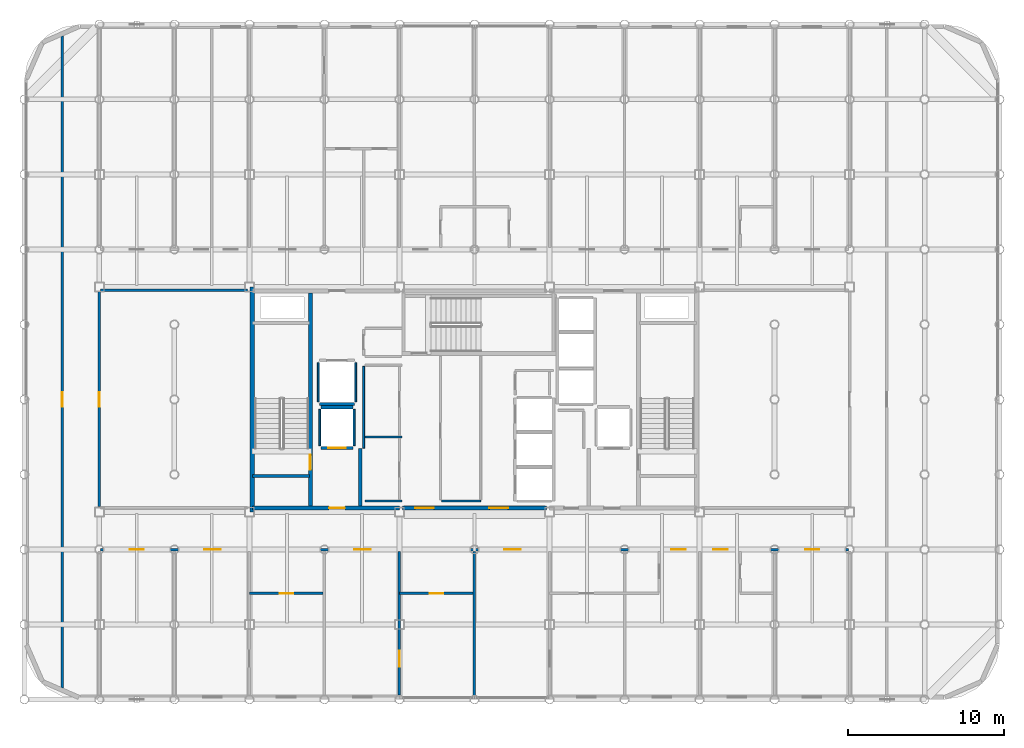
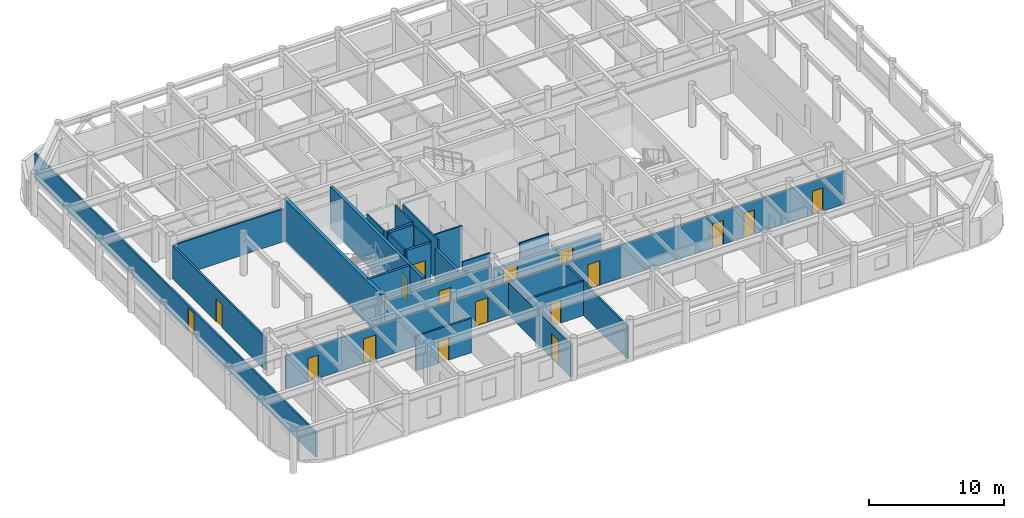
# One storey, part 18 of 23: 25 walls, 17 doors, 17 openings.
"""IFC4 building model written with IfcOpenShell, lengths in metres."""

from ifc_helpers import new_model, si_unit, direction, frame, frame_2d, origin, place, context, subcontext, project, spatial, rectangle, extrude, material, layer, layer_set, type_object, element, fill, save


model = new_model("IFC4")

# Units and contexts
model_context = context("Model", 3, precision=1e-05, world=origin(), true_north=direction((0.0, 1.0)))
body_context = subcontext(model_context, "Body", "Model", "MODEL_VIEW")
ifc_project = project(units=[si_unit("LENGTHUNIT", "METRE"), si_unit("AREAUNIT", "SQUARE_METRE"), si_unit("VOLUMEUNIT", "CUBIC_METRE"), si_unit("PLANEANGLEUNIT", "RADIAN"), si_unit("MASSUNIT", "GRAM", prefix="KILO")], contexts=[model_context])

# Site, building, storey
site_placement = place(None, origin())
site = spatial("IfcSite", under=ifc_project, at=site_placement, CompositionType="ELEMENT")
building_placement = place(site_placement, origin())
building = spatial("IfcBuilding", under=site, at=building_placement, Name="Kallvorn Hotel Tower", CompositionType="ELEMENT")
storey_placement = place(building_placement, frame((0.0, 0.0, 237.699951171875)))
storey = spatial("IfcBuildingStorey", under=building, at=storey_placement, Name="L59", CompositionType="ELEMENT", Elevation=237.699951171875)

# Wall
ifc_material_1 = material(Name="Concrete C50/60", Category="concrete")
ifc_layer_1 = layer(ifc_material_1, 0.300048828125)
ifc_layer_set_1 = layer_set([ifc_layer_1], Name="WL_CORE_300")
wall_type_1 = type_object("IfcWallType", Name="WL_CORE_300", PredefinedType="SHEAR", material=ifc_layer_set_1)
wall_1_placement = place(storey_placement, frame((-14.215087890625, -7.199951171875, -0.179931640625), z_axis=(0.0, 0.0, 1.0), x_axis=(0.0, 1.0, 0.0)))
element("IfcWall", 1, at=wall_1_placement, inside=storey, type_object=wall_type_1, Name="L59 Core West Shear Wall", PredefinedType="SHEAR", context=body_context, shape_type="SweptSolid", body=[
    extrude(rectangle(XDim=14.39990234375, YDim=0.300048828125, at=frame_2d((7.199951171875, 0.0))), origin(), (0.0, 0.0, 1.0), 3.85009765625),
])

# Wall, opening, door
ifc_material_2 = material(Name="Fire-rated double-layer acoustic gypsum drywall EI 60")
ifc_layer_2 = layer(ifc_material_2, 0.159912109375)
ifc_layer_set_2 = layer_set([ifc_layer_2], Name="WL_DEMISE_160")
wall_type_2 = type_object("IfcWallType", Name="WL_DEMISE_160", PredefinedType="PARTITIONING", material=ifc_layer_set_2)
wall_2_placement = place(storey_placement, frame((-14.39990234375, -12.409912109375, 0.0), z_axis=(0.0, 0.0, 1.0), x_axis=(1.0, 0.0, 0.0)))
wall_2 = element("IfcWall", 2, at=wall_2_placement, inside=storey, type_object=wall_type_2, Name="L59 Suite 5901 Executive Bedroom Partition", PredefinedType="PARTITIONING", context=body_context, shape_type="SweptSolid", body=[
    extrude(rectangle(XDim=4.719970703125, YDim=0.159912109375, at=frame_2d((2.35986328125, 0.0))), origin(), (0.0, 0.0, 1.0), 3.1201171875),
])
opening_1_placement = place(wall_2_placement, frame((1.929931640625, 0.0, 0.0)))
opening_1 = element("IfcOpeningElement", 3, at=opening_1_placement, cuts=wall_2, Name="Opening BD-I", PredefinedType="OPENING", context=body_context, shape_type="SweptSolid", body=[
    extrude(rectangle(XDim=0.860107421875, YDim=2.10009765625, at=frame_2d((0.43017578125, 1.050048828125))), frame((0.0, 0.094970703125, 0.0), z_axis=(0.0, -1.0, 0.0), x_axis=(1.0, 0.0, 0.0)), (0.0, 0.0, 1.0), 0.18994140625),
])
ifc_material_3 = material(Name="Solid-core walnut veneer fire-rated timber door leaf", Category="wood")
door_type_1 = type_object("IfcDoorType", Name="DR_BATH_860x2100", OperationType="NOTDEFINED", PredefinedType="DOOR", material=ifc_material_3)
door_1_placement = place(opening_1_placement, origin())
door_1 = element("IfcDoor", 4, at=door_1_placement, inside=storey, type_object=door_type_1, Name="L59 Suite 5901 En-Suite Bathroom Door", OperationType="SINGLE_SWING_RIGHT", OverallHeight=2.10009765625, OverallWidth=0.860107421875, PredefinedType="DOOR", context=body_context, shape_type="SweptSolid", body=[
    extrude(rectangle(XDim=0.860107421875, YDim=2.10009765625, at=frame_2d((0.43017578125, 1.050048828125))), frame((0.0, 0.02490234375, 0.0), z_axis=(0.0, -1.0, 0.0), x_axis=(1.0, 0.0, 0.0)), (0.0, 0.0, 1.0), 0.050048828125),
])
fill(opening_1, door_1)

wall_3_placement = place(storey_placement, frame((-4.800048828125, -12.409912109375, 0.0), z_axis=(0.0, 0.0, 1.0), x_axis=(1.0, 0.0, 0.0)))
wall_3 = element("IfcWall", 5, at=wall_3_placement, inside=storey, type_object=wall_type_2, Name="L59 Suite 5902 Executive Bedroom Partition", PredefinedType="PARTITIONING", context=body_context, shape_type="SweptSolid", body=[
    extrude(rectangle(XDim=4.719970703125, YDim=0.159912109375, at=frame_2d((2.35986328125, 0.0))), origin(), (0.0, 0.0, 1.0), 3.1201171875),
])
opening_2_placement = place(wall_3_placement, frame((1.929931640625, 0.0, 0.0)))
opening_2 = element("IfcOpeningElement", 6, at=opening_2_placement, cuts=wall_3, Name="Opening BD-I", PredefinedType="OPENING", context=body_context, shape_type="SweptSolid", body=[
    extrude(rectangle(XDim=0.860107421875, YDim=2.10009765625, at=frame_2d((0.43017578125, 1.050048828125))), frame((0.0, 0.094970703125, 0.0), z_axis=(0.0, -1.0, 0.0), x_axis=(1.0, 0.0, 0.0)), (0.0, 0.0, 1.0), 0.18994140625),
])
door_2_placement = place(opening_2_placement, origin())
door_2 = element("IfcDoor", 7, at=door_2_placement, inside=storey, type_object=door_type_1, Name="L59 Suite 5902 En-Suite Bathroom Door", OperationType="SINGLE_SWING_LEFT", OverallHeight=2.10009765625, OverallWidth=0.860107421875, PredefinedType="DOOR", context=body_context, shape_type="SweptSolid", body=[
    extrude(rectangle(XDim=0.860107421875, YDim=2.10009765625, at=frame_2d((0.43017578125, 1.050048828125))), frame((0.0, 0.02490234375, 0.0), z_axis=(0.0, -1.0, 0.0), x_axis=(1.0, 0.0, 0.0)), (0.0, 0.0, 1.0), 0.050048828125),
])
fill(opening_2, door_2)

# Wall, openings, doors
wall_4_placement = place(storey_placement, frame((-23.919921875, -9.60009765625, 0.0), z_axis=(0.0, 0.0, 1.0), x_axis=(1.0, 0.0, 0.0)))
wall_4 = element("IfcWall", 8, at=wall_4_placement, inside=storey, type_object=wall_type_2, Name="L59 Suite 5901 Executive Living Salon Partition", PredefinedType="PARTITIONING", context=body_context, shape_type="SweptSolid", body=[
    extrude(rectangle(XDim=47.83984375, YDim=0.159912109375, at=frame_2d((23.919921875, 0.0))), origin(), (0.0, 0.0, 1.0), 2.969970703125),
])
opening_3_placement = place(wall_4_placement, frame((1.8701171875, 0.0, 0.0)))
opening_3 = element("IfcOpeningElement", 9, at=opening_3_placement, cuts=wall_4, Name="Opening SVD1", PredefinedType="OPENING", context=body_context, shape_type="SweptSolid", body=[
    extrude(rectangle(XDim=0.89990234375, YDim=2.10009765625, at=frame_2d((0.449951171875, 1.050048828125))), frame((0.0, 0.094970703125, 0.0), z_axis=(0.0, -1.0, 0.0), x_axis=(1.0, 0.0, 0.0)), (0.0, 0.0, 1.0), 0.18994140625),
])
opening_4_placement = place(wall_4_placement, frame((45.070068359375, 0.0, 0.0)))
opening_4 = element("IfcOpeningElement", 10, at=opening_4_placement, cuts=wall_4, Name="Opening SVD1", PredefinedType="OPENING", context=body_context, shape_type="SweptSolid", body=[
    extrude(rectangle(XDim=0.89990234375, YDim=2.10009765625, at=frame_2d((0.449951171875, 1.050048828125))), frame((0.0, 0.094970703125, 0.0), z_axis=(0.0, -1.0, 0.0), x_axis=(1.0, 0.0, 0.0)), (0.0, 0.0, 1.0), 0.18994140625),
])
opening_5_placement = place(wall_4_placement, frame((6.635009765625, 0.0, 0.0)))
opening_5 = element("IfcOpeningElement", 11, at=opening_5_placement, cuts=wall_4, Name="Opening GD2", PredefinedType="OPENING", context=body_context, shape_type="SweptSolid", body=[
    extrude(rectangle(XDim=1.050048828125, YDim=2.199951171875, at=frame_2d((0.52490234375, 1.10009765625))), frame((0.0, 0.094970703125, 0.0), z_axis=(0.0, -1.0, 0.0), x_axis=(1.0, 0.0, 0.0)), (0.0, 0.0, 1.0), 0.18994140625),
])
opening_6_placement = place(wall_4_placement, frame((16.235107421875, 0.0, 0.0)))
opening_6 = element("IfcOpeningElement", 12, at=opening_6_placement, cuts=wall_4, Name="Opening GD2", PredefinedType="OPENING", context=body_context, shape_type="SweptSolid", body=[
    extrude(rectangle(XDim=1.050048828125, YDim=2.199951171875, at=frame_2d((0.52490234375, 1.10009765625))), frame((0.0, 0.094970703125, 0.0), z_axis=(0.0, -1.0, 0.0), x_axis=(1.0, 0.0, 0.0)), (0.0, 0.0, 1.0), 0.18994140625),
])
opening_7_placement = place(wall_4_placement, frame((25.8349609375, 0.0, 0.0)))
opening_7 = element("IfcOpeningElement", 13, at=opening_7_placement, cuts=wall_4, Name="Opening GD2", PredefinedType="OPENING", context=body_context, shape_type="SweptSolid", body=[
    extrude(rectangle(XDim=1.050048828125, YDim=2.199951171875, at=frame_2d((0.52490234375, 1.10009765625))), frame((0.0, 0.094970703125, 0.0), z_axis=(0.0, -1.0, 0.0), x_axis=(1.0, 0.0, 0.0)), (0.0, 0.0, 1.0), 0.18994140625),
])
opening_8_placement = place(wall_4_placement, frame((36.52490234375, 0.0, 0.0)))
opening_8 = element("IfcOpeningElement", 14, at=opening_8_placement, cuts=wall_4, Name="Opening GD1", PredefinedType="OPENING", context=body_context, shape_type="SweptSolid", body=[
    extrude(rectangle(XDim=0.919921875, YDim=2.14990234375, at=frame_2d((0.4599609375, 1.074951171875))), frame((0.0, 0.094970703125, 0.0), z_axis=(0.0, -1.0, 0.0), x_axis=(1.0, 0.0, 0.0)), (0.0, 0.0, 1.0), 0.18994140625),
])
opening_9_placement = place(wall_4_placement, frame((39.195068359375, 0.0, 0.0)))
opening_9 = element("IfcOpeningElement", 15, at=opening_9_placement, cuts=wall_4, Name="Opening GD1", PredefinedType="OPENING", context=body_context, shape_type="SweptSolid", body=[
    extrude(rectangle(XDim=0.919921875, YDim=2.14990234375, at=frame_2d((0.4599609375, 1.074951171875))), frame((0.0, 0.094970703125, 0.0), z_axis=(0.0, -1.0, 0.0), x_axis=(1.0, 0.0, 0.0)), (0.0, 0.0, 1.0), 0.18994140625),
])
ifc_material_4 = material(Name="Solid-core walnut veneer fire-rated timber door leaf", Category="wood")
door_type_2 = type_object("IfcDoorType", Name="DR_GUEST_920x2150", OperationType="NOTDEFINED", PredefinedType="DOOR", material=ifc_material_4)
door_3_placement = place(opening_8_placement, origin())
door_3 = element("IfcDoor", 16, at=door_3_placement, inside=storey, type_object=door_type_2, Name="L59 Suite 5904 Deluxe King Room Door", OperationType="SINGLE_SWING_LEFT", OverallHeight=2.14990234375, OverallWidth=0.919921875, PredefinedType="DOOR", context=body_context, shape_type="SweptSolid", body=[
    extrude(rectangle(XDim=0.919921875, YDim=2.14990234375, at=frame_2d((0.4599609375, 1.074951171875))), frame((0.0, 0.02490234375, 0.0), z_axis=(0.0, -1.0, 0.0), x_axis=(1.0, 0.0, 0.0)), (0.0, 0.0, 1.0), 0.050048828125),
])
fill(opening_8, door_3)
door_4_placement = place(opening_9_placement, origin())
door_4 = element("IfcDoor", 17, at=door_4_placement, inside=storey, type_object=door_type_2, Name="L59 Suite 5905 Deluxe King Room Door", OperationType="SINGLE_SWING_RIGHT", OverallHeight=2.14990234375, OverallWidth=0.919921875, PredefinedType="DOOR", context=body_context, shape_type="SweptSolid", body=[
    extrude(rectangle(XDim=0.919921875, YDim=2.14990234375, at=frame_2d((0.4599609375, 1.074951171875))), frame((0.0, 0.02490234375, 0.0), z_axis=(0.0, -1.0, 0.0), x_axis=(1.0, 0.0, 0.0)), (0.0, 0.0, 1.0), 0.050048828125),
])
fill(opening_9, door_4)
ifc_material_5 = material(Name="Galvanised painted steel fire-rated door assembly", Category="steel")
door_type_3 = type_object("IfcDoorType", Name="DR_SERV_900x2100", OperationType="NOTDEFINED", PredefinedType="DOOR", material=ifc_material_5)
door_5_placement = place(opening_3_placement, origin())
door_5 = element("IfcDoor", 18, at=door_5_placement, inside=storey, type_object=door_type_3, Name="L59 L59 High-Zone South-West Tea Bar Door", OperationType="SINGLE_SWING_LEFT", OverallHeight=2.10009765625, OverallWidth=0.89990234375, PredefinedType="DOOR", context=body_context, shape_type="SweptSolid", body=[
    extrude(rectangle(XDim=0.89990234375, YDim=2.10009765625, at=frame_2d((0.449951171875, 1.050048828125))), frame((0.0, 0.02490234375, 0.0), z_axis=(0.0, -1.0, 0.0), x_axis=(1.0, 0.0, 0.0)), (0.0, 0.0, 1.0), 0.050048828125),
])
fill(opening_3, door_5)
door_6_placement = place(opening_4_placement, origin())
door_6 = element("IfcDoor", 19, at=door_6_placement, inside=storey, type_object=door_type_3, Name="L59 L59 High-Zone South-East Wine Bar Door", OperationType="SINGLE_SWING_RIGHT", OverallHeight=2.10009765625, OverallWidth=0.89990234375, PredefinedType="DOOR", context=body_context, shape_type="SweptSolid", body=[
    extrude(rectangle(XDim=0.89990234375, YDim=2.10009765625, at=frame_2d((0.449951171875, 1.050048828125))), frame((0.0, 0.02490234375, 0.0), z_axis=(0.0, -1.0, 0.0), x_axis=(1.0, 0.0, 0.0)), (0.0, 0.0, 1.0), 0.050048828125),
])
fill(opening_4, door_6)
ifc_material_6 = material(Name="Solid-core walnut veneer fire-rated timber door leaf", Category="wood")
door_type_4 = type_object("IfcDoorType", Name="DR_SUITE_1050x2200", OperationType="NOTDEFINED", PredefinedType="DOOR", material=ifc_material_6)
door_7_placement = place(opening_5_placement, origin())
door_7 = element("IfcDoor", 20, at=door_7_placement, inside=storey, type_object=door_type_4, Name="L59 Suite 5901 Executive Living Salon Door", OperationType="SINGLE_SWING_LEFT", OverallHeight=2.199951171875, OverallWidth=1.050048828125, PredefinedType="DOOR", context=body_context, shape_type="SweptSolid", body=[
    extrude(rectangle(XDim=1.050048828125, YDim=2.199951171875, at=frame_2d((0.52490234375, 1.10009765625))), frame((0.0, 0.02490234375, 0.0), z_axis=(0.0, -1.0, 0.0), x_axis=(1.0, 0.0, 0.0)), (0.0, 0.0, 1.0), 0.050048828125),
])
fill(opening_5, door_7)
door_8_placement = place(opening_6_placement, origin())
door_8 = element("IfcDoor", 21, at=door_8_placement, inside=storey, type_object=door_type_4, Name="L59 Suite 5902 Executive Living Salon Door", OperationType="SINGLE_SWING_LEFT", OverallHeight=2.199951171875, OverallWidth=1.050048828125, PredefinedType="DOOR", context=body_context, shape_type="SweptSolid", body=[
    extrude(rectangle(XDim=1.050048828125, YDim=2.199951171875, at=frame_2d((0.52490234375, 1.10009765625))), frame((0.0, 0.02490234375, 0.0), z_axis=(0.0, -1.0, 0.0), x_axis=(1.0, 0.0, 0.0)), (0.0, 0.0, 1.0), 0.050048828125),
])
fill(opening_6, door_8)
door_9_placement = place(opening_7_placement, origin())
door_9 = element("IfcDoor", 22, at=door_9_placement, inside=storey, type_object=door_type_4, Name="L59 Suite 5903 Executive Living Salon Door", OperationType="SINGLE_SWING_LEFT", OverallHeight=2.199951171875, OverallWidth=1.050048828125, PredefinedType="DOOR", context=body_context, shape_type="SweptSolid", body=[
    extrude(rectangle(XDim=1.050048828125, YDim=2.199951171875, at=frame_2d((0.52490234375, 1.10009765625))), frame((0.0, 0.02490234375, 0.0), z_axis=(0.0, -1.0, 0.0), x_axis=(1.0, 0.0, 0.0)), (0.0, 0.0, 1.0), 0.050048828125),
])
fill(opening_7, door_9)

# Wall, opening, door
wall_5_placement = place(storey_placement, frame((-4.800048828125, -18.909912109375, 0.0), z_axis=(0.0, 0.0, 1.0), x_axis=(0.0, 1.0, 0.0)))
wall_5 = element("IfcWall", 23, at=wall_5_placement, inside=storey, type_object=wall_type_2, Name="L59 Suite 5902 Executive Bedroom Partition", PredefinedType="PARTITIONING", context=body_context, shape_type="SweptSolid", body=[
    extrude(rectangle(XDim=9.18994140625, YDim=0.159912109375, at=frame_2d((4.594970703125, 0.0))), origin(), (0.0, 0.0, 1.0), 2.969970703125),
])
opening_10_placement = place(wall_5_placement, frame((1.79296875, 0.0, 0.0)))
opening_10 = element("IfcOpeningElement", 24, at=opening_10_placement, cuts=wall_5, Name="Opening GD2", PredefinedType="OPENING", context=body_context, shape_type="SweptSolid", body=[
    extrude(rectangle(XDim=1.050048828125, YDim=2.199951171875, at=frame_2d((0.52490234375, 1.10009765625))), frame((0.0, 0.094970703125, 0.0), z_axis=(0.0, -1.0, 0.0), x_axis=(1.0, 0.0, 0.0)), (0.0, 0.0, 1.0), 0.18994140625),
])
door_10_placement = place(opening_10_placement, origin())
door_10 = element("IfcDoor", 25, at=door_10_placement, inside=storey, type_object=door_type_4, Name="L59 Suite 5902 Executive Bedroom Door", OperationType="SINGLE_SWING_LEFT", OverallHeight=2.199951171875, OverallWidth=1.050048828125, PredefinedType="DOOR", context=body_context, shape_type="SweptSolid", body=[
    extrude(rectangle(XDim=1.050048828125, YDim=2.199951171875, at=frame_2d((0.52490234375, 1.10009765625))), frame((0.0, 0.02490234375, 0.0), z_axis=(0.0, -1.0, 0.0), x_axis=(1.0, 0.0, 0.0)), (0.0, 0.0, 1.0), 0.050048828125),
])
fill(opening_10, door_10)

# Walls
wall_6_placement = place(storey_placement, frame((0.0, -18.9951171875, 0.0), z_axis=(0.0, 0.0, 1.0), x_axis=(0.0, 1.0, 0.0)))
element("IfcWall", 26, at=wall_6_placement, inside=storey, type_object=wall_type_2, Name="L59 Suite 5902 Executive Bedroom Partition", PredefinedType="PARTITIONING", context=body_context, shape_type="SweptSolid", body=[
    extrude(rectangle(XDim=9.275146484375, YDim=0.159912109375, at=frame_2d((4.6376953125, 0.0))), origin(), (0.0, 0.0, 1.0), 2.969970703125),
])
ifc_material_7 = material(Name="Concrete C40/50", Category="concrete")
ifc_layer_3 = layer(ifc_material_7, 0.219970703125)
ifc_layer_set_3 = layer_set([ifc_layer_3], Name="WL_FFL_220")
wall_type_3 = type_object("IfcWallType", Name="WL_FFL_220", PredefinedType="SOLIDWALL", material=ifc_layer_set_3)
wall_7_placement = place(storey_placement, frame((-7.300048828125, -6.820068359375, 0.0), z_axis=(0.0, 0.0, 1.0), x_axis=(0.0, 1.0, 0.0)))
element("IfcWall", 27, at=wall_7_placement, inside=storey, type_object=wall_type_3, Name="L59 Firefighting Lobby West Divider Wall", PredefinedType="SOLIDWALL", context=body_context, shape_type="SweptSolid", body=[
    extrude(rectangle(XDim=3.670166015625, YDim=0.219970703125, at=frame_2d((1.8349609375, 0.0))), origin(), (0.0, 0.0, 1.0), 2.969970703125),
])
ifc_material_8 = material(Name="Concrete C40/50", Category="concrete")
ifc_layer_4 = layer(ifc_material_8, 0.199951171875)
ifc_layer_set_4 = layer_set([ifc_layer_4], Name="WL_HOIST_200")
wall_type_4 = type_object("IfcWallType", Name="WL_HOIST_200", PredefinedType="SOLIDWALL", material=ifc_layer_set_4)
wall_8_placement = place(storey_placement, frame((-14.199951171875, -4.89990234375, -0.179931640625), z_axis=(0.0, 0.0, 1.0), x_axis=(1.0, 0.0, 0.0)))
element("IfcWall", 28, at=wall_8_placement, inside=storey, type_object=wall_type_4, Name="L59 Stair ST1 South Wall", PredefinedType="SOLIDWALL", context=body_context, shape_type="SweptSolid", body=[
    extrude(rectangle(XDim=3.64990234375, YDim=0.199951171875, at=frame_2d((1.824951171875, 0.0))), origin(), (0.0, 0.0, 1.0), 3.85009765625),
])

# Wall, opening, door
wall_9_placement = place(storey_placement, frame((-9.820068359375, -3.10009765625, 0.0), z_axis=(0.0, 0.0, 1.0), x_axis=(1.0, 0.0, 0.0)))
wall_9 = element("IfcWall", 29, at=wall_9_placement, inside=storey, type_object=wall_type_4, Name="L59 FL-1 Landing Wall", PredefinedType="SOLIDWALL", context=body_context, shape_type="SweptSolid", body=[
    extrude(rectangle(XDim=2.0400390625, YDim=0.199951171875, at=frame_2d((1.02001953125, 0.0))), origin(), (0.0, 0.0, 1.0), 3.670166015625),
])
opening_11_placement = place(wall_9_placement, frame((0.469970703125, 0.0, 0.0)))
opening_11 = element("IfcOpeningElement", 30, at=opening_11_placement, cuts=wall_9, Name="Opening LD-FL-1", PredefinedType="OPENING", context=body_context, shape_type="SweptSolid", body=[
    extrude(rectangle(XDim=1.10009765625, YDim=2.199951171875, at=frame_2d((0.550048828125, 1.10009765625))), frame((0.0, 0.114990234375, 0.0), z_axis=(0.0, -1.0, 0.0), x_axis=(1.0, 0.0, 0.0)), (0.0, 0.0, 1.0), 0.22998046875),
])
ifc_material_9 = material(Name="Brushed stainless-steel automatic sliding lift landing door", Category="steel")
door_type_5 = type_object("IfcDoorType", Name="LD_PASS_1100x2200", OperationType="SLIDING_TO_LEFT", PredefinedType="DOOR", material=ifc_material_9)
door_11_placement = place(opening_11_placement, origin())
door_11 = element("IfcDoor", 31, at=door_11_placement, inside=storey, type_object=door_type_5, Name="L59 Lift Landing Sliding Door LD-FL-1", OperationType="SLIDING_TO_LEFT", OverallHeight=2.199951171875, OverallWidth=1.10009765625, PredefinedType="DOOR", context=body_context, shape_type="SweptSolid", body=[
    extrude(rectangle(XDim=1.10009765625, YDim=2.199951171875, at=frame_2d((0.550048828125, 1.10009765625))), frame((0.0, 0.02490234375, 0.0), z_axis=(0.0, -1.0, 0.0), x_axis=(1.0, 0.0, 0.0)), (0.0, 0.0, 1.0), 0.050048828125),
])
fill(opening_11, door_11)

# Walls
wall_10_placement = place(storey_placement, frame((-9.820068359375, -0.5, 0.0), z_axis=(0.0, 0.0, 1.0), x_axis=(1.0, 0.0, 0.0)))
element("IfcWall", 32, at=wall_10_placement, inside=storey, type_object=wall_type_4, Name="L59 FL-1 Rear Shaft Wall", PredefinedType="SOLIDWALL", context=body_context, shape_type="SweptSolid", body=[
    extrude(rectangle(XDim=2.0400390625, YDim=0.199951171875, at=frame_2d((1.02001953125, 0.0))), origin(), (0.0, 0.0, 1.0), 3.670166015625),
])
wall_11_placement = place(storey_placement, frame((-9.919921875, -0.300048828125, 0.0), z_axis=(0.0, 0.0, 1.0), x_axis=(1.0, 0.0, 0.0)))
element("IfcWall", 33, at=wall_11_placement, inside=storey, type_object=wall_type_4, Name="L59 SV-01 Rear Shaft Wall", PredefinedType="SOLIDWALL", context=body_context, shape_type="SweptSolid", body=[
    extrude(rectangle(XDim=2.239990234375, YDim=0.199951171875, at=frame_2d((1.1201171875, 0.0))), origin(), (0.0, 0.0, 1.0), 3.670166015625),
])
ifc_material_10 = material(Name="Fire-rated double-layer acoustic gypsum drywall EI 60")
ifc_layer_5 = layer(ifc_material_10, 0.1201171875)
ifc_layer_set_5 = layer_set([ifc_layer_5], Name="WL_INT_120")
wall_type_5 = type_object("IfcWallType", Name="WL_INT_120", PredefinedType="PARTITIONING", material=ifc_layer_set_5)
for number, where, z_axis, x_axis, name in (
    (34, (-9.89990234375, -2.9599609375, 0.0), (0.0, 0.0, 1.0), (0.0, 1.0, 0.0), "L59 FL-1 West Shaft Wall"),
    (35, (-7.699951171875, -2.9599609375, 0.0), (0.0, 0.0, 1.0), (0.0, 1.0, 0.0), "L59 FL-1 East Shaft Wall"),
):
    element("IfcWall", number, at=place(storey_placement, frame(where, z_axis=z_axis, x_axis=x_axis)), inside=storey, type_object=wall_type_5, Name=name, PredefinedType="PARTITIONING", context=body_context, shape_type="SweptSolid", body=[
        extrude(rectangle(XDim=2.320068359375, YDim=0.1201171875, at=frame_2d((1.16015625, 0.0))), origin(), (0.0, 0.0, 1.0), 3.670166015625),
    ])
for number, where, z_axis, x_axis, name in (
    (36, (-10.0, -0.159912109375, 0.0), (0.0, 0.0, 1.0), (0.0, 1.0, 0.0), "L59 SV-01 West Shaft Wall"),
    (37, (-7.60009765625, -0.159912109375, 0.0), (0.0, 0.0, 1.0), (0.0, 1.0, 0.0), "L59 SV-01 East Shaft Wall"),
):
    element("IfcWall", number, at=place(storey_placement, frame(where, z_axis=z_axis, x_axis=x_axis)), inside=storey, type_object=wall_type_5, Name=name, PredefinedType="PARTITIONING", context=body_context, shape_type="SweptSolid", body=[
        extrude(rectangle(XDim=2.52001953125, YDim=0.1201171875, at=frame_2d((1.260009765625, 0.0))), origin(), (0.0, 0.0, 1.0), 3.670166015625),
    ])
wall_12_placement = place(storey_placement, frame((-7.0, -6.5, 0.0), z_axis=(0.0, 0.0, 1.0), x_axis=(1.0, 0.0, 0.0)))
element("IfcWall", 38, at=wall_12_placement, inside=storey, type_object=wall_type_5, Name="L59 Recaptured South Minibar Pantry Partition", PredefinedType="PARTITIONING", context=body_context, shape_type="SweptSolid", body=[
    extrude(rectangle(XDim=2.35009765625, YDim=0.1201171875, at=frame_2d((1.175048828125, 0.0))), origin(), (0.0, 0.0, 1.0), 3.670166015625),
])
wall_13_placement = place(storey_placement, frame((-2.10009765625, -6.5, 0.0), z_axis=(0.0, 0.0, 1.0), x_axis=(1.0, 0.0, 0.0)))
element("IfcWall", 39, at=wall_13_placement, inside=storey, type_object=wall_type_5, Name="L59 Altitude Executive Pantry and Ice Room Partition", PredefinedType="PARTITIONING", context=body_context, shape_type="SweptSolid", body=[
    extrude(rectangle(XDim=2.5, YDim=0.1201171875, at=frame_2d((1.25, 0.0))), origin(), (0.0, 0.0, 1.0), 3.670166015625),
])
wall_14_placement = place(storey_placement, frame((-7.0, -2.39990234375, 0.0), z_axis=(0.0, 0.0, 1.0), x_axis=(1.0, 0.0, 0.0)))
element("IfcWall", 40, at=wall_14_placement, inside=storey, type_object=wall_type_5, Name="L59 Recaptured Central Linen Store Partition", PredefinedType="PARTITIONING", context=body_context, shape_type="SweptSolid", body=[
    extrude(rectangle(XDim=2.35009765625, YDim=0.1201171875, at=frame_2d((1.175048828125, 0.0))), origin(), (0.0, 0.0, 1.0), 3.670166015625),
])
wall_15_placement = place(storey_placement, frame((-7.095947265625, -3.110107421875, 0.0), z_axis=(0.0, 0.0, 1.0), x_axis=(0.0, 1.0, 0.0)))
element("IfcWall", 41, at=wall_15_placement, inside=storey, type_object=wall_type_5, Name="L59 Recaptured South Minibar Pantry Partition", PredefinedType="PARTITIONING", context=body_context, shape_type="SweptSolid", body=[
    extrude(rectangle(XDim=5.22509765625, YDim=0.1201171875, at=frame_2d((2.612548828125, 0.0))), origin(), (0.0, 0.0, 1.0), 3.670166015625),
])
ifc_material_11 = material(Name="Fire-rated double-layer acoustic gypsum drywall EI 60")
ifc_layer_6 = layer(ifc_material_11, 0.14990234375)
ifc_layer_set_6 = layer_set([ifc_layer_6], Name="WL_PART_150")
wall_type_6 = type_object("IfcWallType", Name="WL_PART_150", PredefinedType="PARTITIONING", material=ifc_layer_set_6)
wall_16_placement = place(storey_placement, frame((-23.919921875, 6.97998046875, 0.0), z_axis=(0.0, 0.0, 1.0), x_axis=(1.0, 0.0, 0.0)))
element("IfcWall", 42, at=wall_16_placement, inside=storey, type_object=wall_type_6, Name="L59 L59 High-Zone Inner West Club Bar Partition", PredefinedType="PARTITIONING", context=body_context, shape_type="SweptSolid", body=[
    extrude(rectangle(XDim=9.39990234375, YDim=0.14990234375, at=frame_2d((4.699951171875, 0.0))), origin(), (0.0, 0.0, 1.0), 2.969970703125),
])

# Wall, opening, door
wall_17_placement = place(storey_placement, frame((-26.3798828125, -18.447265625, 0.0), z_axis=(0.0, 0.0, 1.0), x_axis=(0.0, 1.0, 0.0)))
wall_17 = element("IfcWall", 43, at=wall_17_placement, inside=storey, type_object=wall_type_6, Name="L59 L59 Outer West Sky Observatory Salon Partition", PredefinedType="PARTITIONING", context=body_context, shape_type="SweptSolid", body=[
    extrude(rectangle(XDim=41.694580078125, YDim=0.14990234375, at=frame_2d((20.84716796875, 0.0))), origin(), (0.0, 0.0, 1.0), 2.27001953125),
])
opening_12_placement = place(wall_17_placement, frame((17.997314453125, 0.0, 0.0)))
opening_12 = element("IfcOpeningElement", 44, at=opening_12_placement, cuts=wall_17, Name="Opening SVD1", PredefinedType="OPENING", context=body_context, shape_type="SweptSolid", body=[
    extrude(rectangle(XDim=0.89990234375, YDim=2.10009765625, at=frame_2d((0.449951171875, 1.050048828125))), frame((0.0, 0.08984375, 0.0), z_axis=(0.0, -1.0, 0.0), x_axis=(1.0, 0.0, 0.0)), (0.0, 0.0, 1.0), 0.179931640625),
])
door_12_placement = place(opening_12_placement, origin())
door_12 = element("IfcDoor", 45, at=door_12_placement, inside=storey, type_object=door_type_3, Name="L59 L59 Outer West Sky Observatory Salon Door", OperationType="SINGLE_SWING_RIGHT", OverallHeight=2.10009765625, OverallWidth=0.89990234375, PredefinedType="DOOR", context=body_context, shape_type="SweptSolid", body=[
    extrude(rectangle(XDim=0.89990234375, YDim=2.10009765625, at=frame_2d((0.449951171875, 1.050048828125))), frame((0.0, 0.02490234375, 0.0), z_axis=(0.0, -1.0, 0.0), x_axis=(1.0, 0.0, 0.0)), (0.0, 0.0, 1.0), 0.050048828125),
])
fill(opening_12, door_12)

wall_18_placement = place(storey_placement, frame((-24.0, -6.8349609375, 0.0), z_axis=(0.0, 0.0, 1.0), x_axis=(0.0, 1.0, 0.0)))
wall_18 = element("IfcWall", 46, at=wall_18_placement, inside=storey, type_object=wall_type_6, Name="L59 L59 High-Zone Inner West Club Bar Partition", PredefinedType="PARTITIONING", context=body_context, shape_type="SweptSolid", body=[
    extrude(rectangle(XDim=13.72998046875, YDim=0.14990234375, at=frame_2d((6.864990234375, 0.0))), origin(), (0.0, 0.0, 1.0), 2.969970703125),
])
opening_13_placement = place(wall_18_placement, frame((6.385009765625, 0.0, 0.0)))
opening_13 = element("IfcOpeningElement", 47, at=opening_13_placement, cuts=wall_18, Name="Opening SVD1", PredefinedType="OPENING", context=body_context, shape_type="SweptSolid", body=[
    extrude(rectangle(XDim=0.89990234375, YDim=2.10009765625, at=frame_2d((0.449951171875, 1.050048828125))), frame((0.0, 0.08984375, 0.0), z_axis=(0.0, -1.0, 0.0), x_axis=(1.0, 0.0, 0.0)), (0.0, 0.0, 1.0), 0.179931640625),
])
door_13_placement = place(opening_13_placement, origin())
door_13 = element("IfcDoor", 48, at=door_13_placement, inside=storey, type_object=door_type_3, Name="L59 L59 High-Zone Inner West Club Bar Door", OperationType="SINGLE_SWING_LEFT", OverallHeight=2.10009765625, OverallWidth=0.89990234375, PredefinedType="DOOR", context=body_context, shape_type="SweptSolid", body=[
    extrude(rectangle(XDim=0.89990234375, YDim=2.10009765625, at=frame_2d((0.449951171875, 1.050048828125))), frame((0.0, 0.02490234375, 0.0), z_axis=(0.0, -1.0, 0.0), x_axis=(1.0, 0.0, 0.0)), (0.0, 0.0, 1.0), 0.050048828125),
])
fill(opening_13, door_13)

ifc_material_12 = material(Name="Concrete C40/50", Category="concrete")
ifc_layer_7 = layer(ifc_material_12, 0.25)
ifc_layer_set_7 = layer_set([ifc_layer_7], Name="WL_SHAFT_250")
wall_type_7 = type_object("IfcWallType", Name="WL_SHAFT_250", PredefinedType="SOLIDWALL", material=ifc_layer_set_7)
wall_19_placement = place(storey_placement, frame((-14.199951171875, -6.949951171875, 0.0), z_axis=(0.0, 0.0, 1.0), x_axis=(1.0, 0.0, 0.0)))
wall_19 = element("IfcWall", 49, at=wall_19_placement, inside=storey, type_object=wall_type_7, Name="L59 Core South-West Wall", PredefinedType="SOLIDWALL", context=body_context, shape_type="SweptSolid", body=[
    extrude(rectangle(XDim=9.39990234375, YDim=0.25, at=frame_2d((4.699951171875, 0.0))), origin(), (0.0, 0.0, 1.0), 2.969970703125),
])
opening_14_placement = place(wall_19_placement, frame((4.89990234375, 0.0, 0.0)))
opening_14 = element("IfcOpeningElement", 50, at=opening_14_placement, cuts=wall_19, Name="Opening FD1", PredefinedType="OPENING", context=body_context, shape_type="SweptSolid", body=[
    extrude(rectangle(XDim=1.0, YDim=2.14990234375, at=frame_2d((0.5, 1.074951171875))), frame((0.0, 0.139892578125, 0.0), z_axis=(0.0, -1.0, 0.0), x_axis=(1.0, 0.0, 0.0)), (0.0, 0.0, 1.0), 0.280029296875),
])
ifc_material_13 = material(Name="Galvanised painted steel fire-rated door assembly", Category="steel")
door_type_6 = type_object("IfcDoorType", Name="DR_FFL_1000x2150", OperationType="NOTDEFINED", PredefinedType="DOOR", material=ifc_material_13)
door_14_placement = place(opening_14_placement, origin())
door_14 = element("IfcDoor", 51, at=door_14_placement, inside=storey, type_object=door_type_6, Name="L59 Firefighting Lobby West Door", OperationType="SINGLE_SWING_LEFT", OverallHeight=2.14990234375, OverallWidth=1.0, PredefinedType="DOOR", context=body_context, shape_type="SweptSolid", body=[
    extrude(rectangle(XDim=1.0, YDim=2.14990234375, at=frame_2d((0.5, 1.074951171875))), frame((0.0, 0.02490234375, 0.0), z_axis=(0.0, -1.0, 0.0), x_axis=(1.0, 0.0, 0.0)), (0.0, 0.0, 1.0), 0.050048828125),
])
fill(opening_14, door_14)

# Wall, openings, doors
wall_20_placement = place(storey_placement, frame((-4.60009765625, -6.949951171875, 0.0), z_axis=(0.0, 0.0, 1.0), x_axis=(1.0, 0.0, 0.0)))
wall_20 = element("IfcWall", 52, at=wall_20_placement, inside=storey, type_object=wall_type_7, Name="L59 Core South-Central Wall", PredefinedType="SOLIDWALL", context=body_context, shape_type="SweptSolid", body=[
    extrude(rectangle(XDim=9.2001953125, YDim=0.25, at=frame_2d((4.60009765625, 0.0))), origin(), (0.0, 0.0, 1.0), 2.469970703125),
])
opening_15_placement = place(wall_20_placement, frame((0.800048828125, 0.0, 0.0)))
opening_15 = element("IfcOpeningElement", 53, at=opening_15_placement, cuts=wall_20, Name="Opening FD2", PredefinedType="OPENING", context=body_context, shape_type="SweptSolid", body=[
    extrude(rectangle(XDim=1.199951171875, YDim=2.199951171875, at=frame_2d((0.60009765625, 1.10009765625))), frame((0.0, 0.139892578125, 0.0), z_axis=(0.0, -1.0, 0.0), x_axis=(1.0, 0.0, 0.0)), (0.0, 0.0, 1.0), 0.280029296875),
])
opening_16_placement = place(wall_20_placement, frame((5.550048828125, 0.0, 0.0)))
opening_16 = element("IfcOpeningElement", 54, at=opening_16_placement, cuts=wall_20, Name="Opening FD2", PredefinedType="OPENING", context=body_context, shape_type="SweptSolid", body=[
    extrude(rectangle(XDim=1.199951171875, YDim=2.199951171875, at=frame_2d((0.60009765625, 1.10009765625))), frame((0.0, 0.139892578125, 0.0), z_axis=(0.0, -1.0, 0.0), x_axis=(1.0, 0.0, 0.0)), (0.0, 0.0, 1.0), 0.280029296875),
])
ifc_material_14 = material(Name="Galvanised painted steel fire-rated door assembly", Category="steel")
door_type_7 = type_object("IfcDoorType", Name="DR_LOBBY_1200x2200", OperationType="DOUBLE_DOOR_SINGLE_SWING", PredefinedType="DOOR", material=ifc_material_14)
door_15_placement = place(opening_15_placement, origin())
door_15 = element("IfcDoor", 55, at=door_15_placement, inside=storey, type_object=door_type_7, Name="L59 West Passenger Lift Lobby Door", OperationType="DOUBLE_DOOR_SINGLE_SWING", OverallHeight=2.199951171875, OverallWidth=1.199951171875, PredefinedType="DOOR", context=body_context, shape_type="SweptSolid", body=[
    extrude(rectangle(XDim=1.199951171875, YDim=2.199951171875, at=frame_2d((0.60009765625, 1.10009765625))), frame((0.0, 0.02490234375, 0.0), z_axis=(0.0, -1.0, 0.0), x_axis=(1.0, 0.0, 0.0)), (0.0, 0.0, 1.0), 0.050048828125),
])
fill(opening_15, door_15)
door_16_placement = place(opening_16_placement, origin())
door_16 = element("IfcDoor", 56, at=door_16_placement, inside=storey, type_object=door_type_7, Name="L59 East Passenger Lift Lobby Door", OperationType="DOUBLE_DOOR_SINGLE_SWING", OverallHeight=2.199951171875, OverallWidth=1.199951171875, PredefinedType="DOOR", context=body_context, shape_type="SweptSolid", body=[
    extrude(rectangle(XDim=1.199951171875, YDim=2.199951171875, at=frame_2d((0.60009765625, 1.10009765625))), frame((0.0, 0.02490234375, 0.0), z_axis=(0.0, -1.0, 0.0), x_axis=(1.0, 0.0, 0.0)), (0.0, 0.0, 1.0), 0.050048828125),
])
fill(opening_16, door_16)

# Wall, opening, door
wall_21_placement = place(storey_placement, frame((-10.5, -6.820068359375, -0.179931640625), z_axis=(0.0, 0.0, 1.0), x_axis=(0.0, 1.0, 0.0)))
wall_21 = element("IfcWall", 57, at=wall_21_placement, inside=storey, type_object=wall_type_7, Name="L59 Stair ST1 Shaft Wall", PredefinedType="SOLIDWALL", context=body_context, shape_type="SweptSolid", body=[
    extrude(rectangle(XDim=13.64013671875, YDim=0.25, at=frame_2d((6.820068359375, 0.0))), origin(), (0.0, 0.0, 1.0), 3.85009765625),
])
opening_17_placement = place(wall_21_placement, frame((2.320068359375, 0.0, 0.179931640625)))
opening_17 = element("IfcOpeningElement", 58, at=opening_17_placement, cuts=wall_21, Name="Opening SD1", PredefinedType="OPENING", context=body_context, shape_type="SweptSolid", body=[
    extrude(rectangle(XDim=0.949951171875, YDim=2.14990234375, at=frame_2d((0.47509765625, 1.074951171875))), frame((0.0, 0.139892578125, 0.0), z_axis=(0.0, -1.0, 0.0), x_axis=(1.0, 0.0, 0.0)), (0.0, 0.0, 1.0), 0.280029296875),
])
ifc_material_15 = material(Name="Galvanised painted steel fire-rated door assembly", Category="steel")
door_type_8 = type_object("IfcDoorType", Name="DR_STAIR_950x2150", OperationType="NOTDEFINED", PredefinedType="DOOR", material=ifc_material_15)
door_17_placement = place(opening_17_placement, origin())
door_17 = element("IfcDoor", 59, at=door_17_placement, inside=storey, type_object=door_type_8, Name="L59 Exit Stair ST1 Fire Door", OperationType="SINGLE_SWING_LEFT", OverallHeight=2.14990234375, OverallWidth=0.949951171875, PredefinedType="DOOR", context=body_context, shape_type="SweptSolid", body=[
    extrude(rectangle(XDim=0.949951171875, YDim=2.14990234375, at=frame_2d((0.47509765625, 1.074951171875))), frame((0.0, 0.02490234375, 0.0), z_axis=(0.0, -1.0, 0.0), x_axis=(1.0, 0.0, 0.0)), (0.0, 0.0, 1.0), 0.050048828125),
])
fill(opening_17, door_17)

save(model, "model.ifc")
